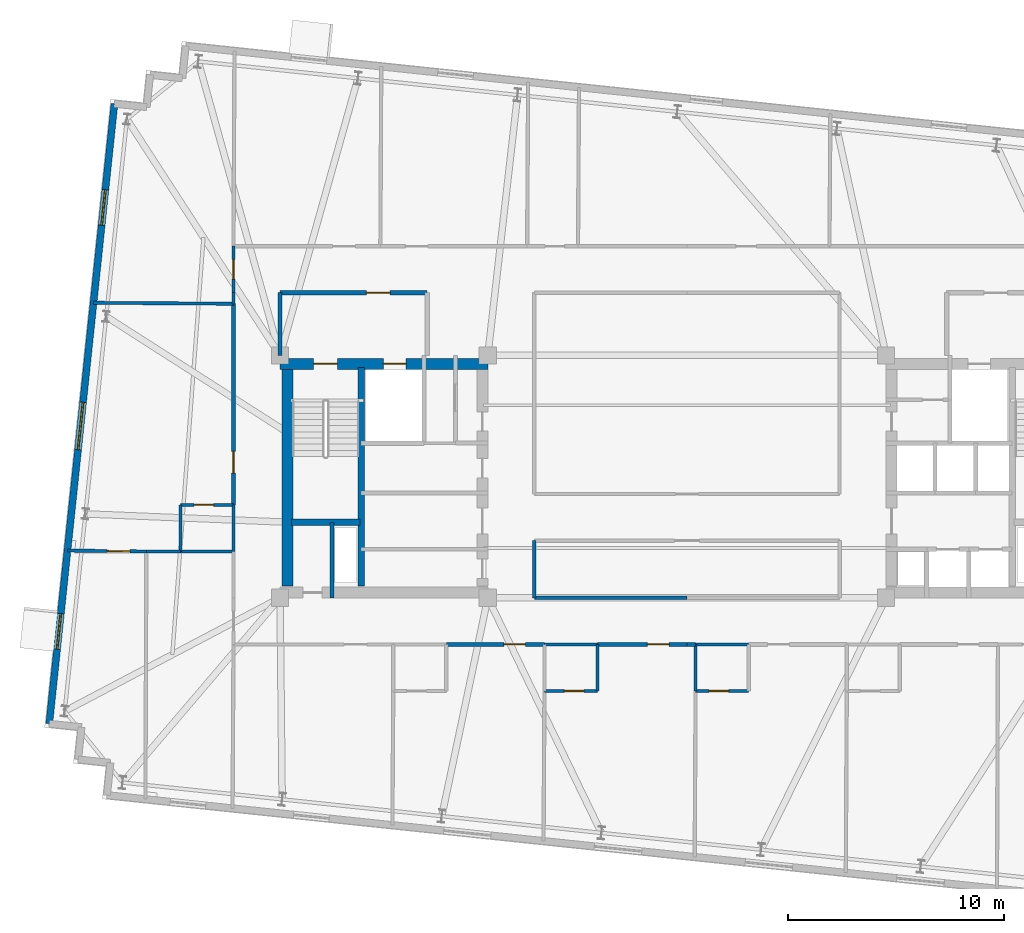
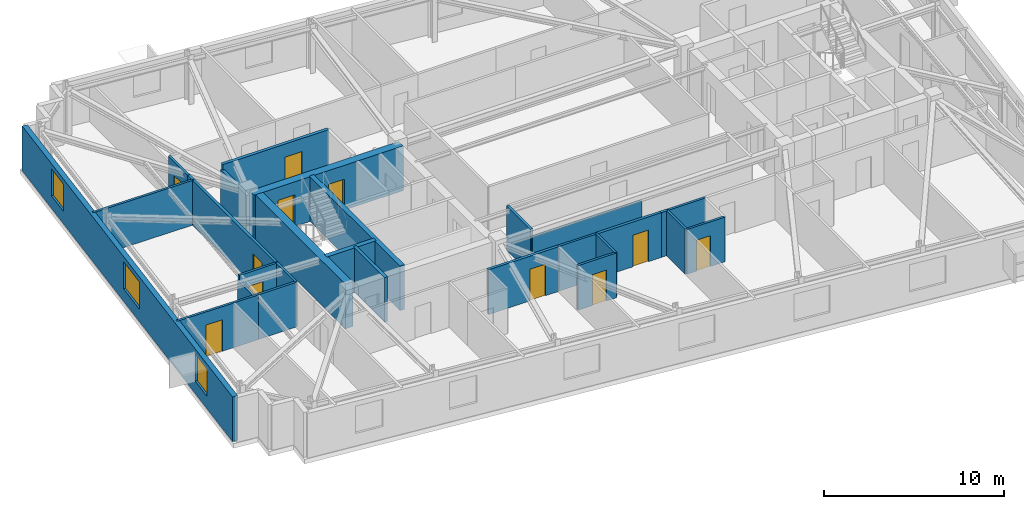
# One storey, part 6 of 11: 29 walls, 11 doors, 3 windows, 14 openings.
"""IFC4 building model written with IfcOpenShell, lengths in metres."""

from ifc_helpers import new_model, si_unit, direction, frame, frame_2d, origin, place, context, subcontext, project, spatial, rectangle, extrude, material, layer, layer_set, type_object, element, fill, save


model = new_model("IFC4")

# Units and contexts
model_context = context("Model", 3, precision=1e-05, world=origin(), true_north=direction((0.0, 1.0)))
body_context = subcontext(model_context, "Body", "Model", "MODEL_VIEW")
ifc_project = project(units=[si_unit("LENGTHUNIT", "METRE"), si_unit("AREAUNIT", "SQUARE_METRE"), si_unit("VOLUMEUNIT", "CUBIC_METRE"), si_unit("PLANEANGLEUNIT", "RADIAN"), si_unit("MASSUNIT", "GRAM", prefix="KILO")], contexts=[model_context])

# Site, building, storey
site_placement = place(None, origin())
site = spatial("IfcSite", under=ifc_project, at=site_placement, CompositionType="ELEMENT")
building_placement = place(site_placement, origin())
building = spatial("IfcBuilding", under=site, at=building_placement, Name="Qobustan Lattice House", CompositionType="ELEMENT")
storey_placement = place(building_placement, frame((0.0, 0.0, 213.14990234375)))
storey = spatial("IfcBuildingStorey", under=building, at=storey_placement, Name="L60", CompositionType="ELEMENT", Elevation=213.14990234375)

# Wall, openings, doors
ifc_material_1 = material(Name="Concrete C50/60", Category="concrete")
ifc_layer_1 = layer(ifc_material_1, 0.5)
ifc_layer_set_1 = layer_set([ifc_layer_1], Name="Concrete C50/60")
wall_type_1 = type_object("IfcWallType", Name="WAL-CORE-500", PredefinedType="SHEAR", material=ifc_layer_set_1)
wall_1_placement = place(storey_placement, frame((-18.800048828125, 5.2099609375, 0.0), z_axis=(0.0, 0.0, 1.0), x_axis=(1.0, 0.0, 0.0)))
wall_1 = element("IfcWall", 1, at=wall_1_placement, inside=storey, type_object=wall_type_1, Name="L60 split-core shear wall CW-N", PredefinedType="SHEAR", context=body_context, shape_type="SweptSolid", body=[
    extrude(rectangle(XDim=9.60009765625, YDim=0.5, at=frame_2d((4.800048828125, 0.0))), origin(), (0.0, 0.0, 1.0), 3.0400390625),
])
opening_1_placement = place(wall_1_placement, frame((1.550048828125, 0.0, 0.0)))
opening_1 = element("IfcOpeningElement", 2, at=opening_1_placement, cuts=wall_1, Name="Opening SD-01", PredefinedType="OPENING", context=body_context, shape_type="SweptSolid", body=[
    extrude(rectangle(XDim=1.10009765625, YDim=2.14990234375, at=frame_2d((0.550048828125, 1.074951171875))), frame((0.0, 0.260009765625, 0.0), z_axis=(0.0, -1.0, 0.0), x_axis=(1.0, 0.0, 0.0)), (0.0, 0.0, 1.0), 0.52001953125),
])
opening_2_placement = place(wall_1_placement, frame((4.77490234375, 0.0, 0.0)))
opening_2 = element("IfcOpeningElement", 3, at=opening_2_placement, cuts=wall_1, Name="Opening LD-01", PredefinedType="OPENING", context=body_context, shape_type="SweptSolid", body=[
    extrude(rectangle(XDim=1.050048828125, YDim=2.10009765625, at=frame_2d((0.52490234375, 1.050048828125))), frame((0.0, 0.260009765625, 0.0), z_axis=(0.0, -1.0, 0.0), x_axis=(1.0, 0.0, 0.0)), (0.0, 0.0, 1.0), 0.52001953125),
])
ifc_material_2 = material(Name="Persian walnut timber and steel frame door", Category="steel")
door_type_1 = type_object("IfcDoorType", Name="DOR-LIFT-LD-1050x2100", OperationType="NOTDEFINED", PredefinedType="DOOR", material=ifc_material_2)
door_1_placement = place(opening_2_placement, origin())
door_1 = element("IfcDoor", 4, at=door_1_placement, inside=storey, type_object=door_type_1, Name="L60 firefighting lift FF-W landing door", OperationType="DOUBLE_DOOR_SLIDING", OverallHeight=2.10009765625, OverallWidth=1.050048828125, PredefinedType="DOOR", context=body_context, shape_type="SweptSolid", body=[
    extrude(rectangle(XDim=1.050048828125, YDim=2.10009765625, at=frame_2d((0.52490234375, 1.050048828125))), frame((0.0, 0.02490234375, 0.0), z_axis=(0.0, -1.0, 0.0), x_axis=(1.0, 0.0, 0.0)), (0.0, 0.0, 1.0), 0.050048828125),
])
fill(opening_2, door_1)
ifc_material_3 = material(Name="Persian walnut timber and steel frame door", Category="steel")
door_type_2 = type_object("IfcDoorType", Name="DOR-STAIR-FD-1100x2150", OperationType="NOTDEFINED", PredefinedType="DOOR", material=ifc_material_3)
door_2_placement = place(opening_1_placement, origin())
door_2 = element("IfcDoor", 5, at=door_2_placement, inside=storey, type_object=door_type_2, Name="L60 exit stair ST-W1 fire door", OperationType="SINGLE_SWING_RIGHT", OverallHeight=2.14990234375, OverallWidth=1.10009765625, PredefinedType="DOOR", context=body_context, shape_type="SweptSolid", body=[
    extrude(rectangle(XDim=1.10009765625, YDim=2.14990234375, at=frame_2d((0.550048828125, 1.074951171875))), frame((0.0, 0.02490234375, 0.0), z_axis=(0.0, -1.0, 0.0), x_axis=(1.0, 0.0, 0.0)), (0.0, 0.0, 1.0), 0.050048828125),
])
fill(opening_1, door_2)

# Walls
wall_2_placement = place(storey_placement, frame((-18.4599609375, -5.050048828125, 0.0), z_axis=(0.0, 0.0, 1.0), x_axis=(0.0, 1.0, 0.0)))
element("IfcWall", 6, at=wall_2_placement, inside=storey, type_object=wall_type_1, Name="L60 split-core shear wall CW-W", PredefinedType="SHEAR", context=body_context, shape_type="SweptSolid", body=[
    extrude(rectangle(XDim=10.10009765625, YDim=0.5, at=frame_2d((5.050048828125, 0.0))), origin(), (0.0, 0.0, 1.0), 3.0400390625),
])
ifc_material_4 = material(Name="Concrete C50/60", Category="concrete")
ifc_layer_2 = layer(ifc_material_4, 0.280029296875)
ifc_layer_set_2 = layer_set([ifc_layer_2], Name="Concrete C50/60")
wall_type_2 = type_object("IfcWallType", Name="WAL-CORE-SPINE-280", PredefinedType="SHEAR", material=ifc_layer_set_2)
wall_3_placement = place(storey_placement, frame((-15.050048828125, -5.050048828125, 0.0), z_axis=(0.0, 0.0, 1.0), x_axis=(0.0, 1.0, 0.0)))
element("IfcWall", 7, at=wall_3_placement, inside=storey, type_object=wall_type_2, Name="L60 split-core shear wall CW-M", PredefinedType="SHEAR", context=body_context, shape_type="SweptSolid", body=[
    extrude(rectangle(XDim=10.10009765625, YDim=0.300048828125, at=frame_2d((5.050048828125, 0.0))), origin(), (0.0, 0.0, 1.0), 3.0400390625),
])
wall_4_placement = place(storey_placement, frame((-18.280029296875, -2.110107421875, 0.0), z_axis=(0.0, 0.0, 1.0), x_axis=(1.0, 0.0, 0.0)))
element("IfcWall", 8, at=wall_4_placement, inside=storey, type_object=wall_type_2, Name="L60 split-core shear wall CW-ST", PredefinedType="SHEAR", context=body_context, shape_type="SweptSolid", body=[
    extrude(rectangle(XDim=3.179931640625, YDim=0.300048828125, at=frame_2d((1.58984375, 0.0))), origin(), (0.0, 0.0, 1.0), 3.0400390625),
])

# Wall, openings, windows
ifc_material_5 = material(Name="Precast concrete C40/50", Category="concrete")
ifc_layer_3 = layer(ifc_material_5, 0.320068359375)
ifc_layer_set_3 = layer_set([ifc_layer_3], Name="Precast concrete C40/50")
wall_type_3 = type_object("IfcWallType", Name="WAL-EXT-STONE-320", PredefinedType="SOLIDWALL", material=ifc_layer_set_3)
wall_5_placement = place(storey_placement, frame((-29.46337890625, -11.413818359375, 0.0), z_axis=(0.0, 0.0, 1.0), x_axis=(0.104530779244, 0.994521651947, 0.0)))
wall_5 = element("IfcWall", 9, at=wall_5_placement, inside=storey, type_object=wall_type_3, Name="L60 exterior limestone-clad wall 5", PredefinedType="SOLIDWALL", context=body_context, shape_type="SweptSolid", body=[
    extrude(rectangle(XDim=28.800048828125, YDim=0.320068359375, at=frame_2d((14.39990234375, 0.0))), origin(), (0.0, 0.0, 1.0), 3.0400390625),
])
opening_3_placement = place(wall_5_placement, frame((3.466796875, 0.0, 0.85009765625)))
opening_3 = element("IfcOpeningElement", 10, at=opening_3_placement, cuts=wall_5, Name="Opening WN-09", PredefinedType="OPENING", context=body_context, shape_type="SweptSolid", body=[
    extrude(rectangle(XDim=1.64990234375, YDim=1.85009765625, at=frame_2d((0.824951171875, 0.925048828125))), frame((0.0, 0.169921875, 0.0), z_axis=(0.0, -1.0, 0.0), x_axis=(1.0, 0.0, 0.0)), (0.0, 0.0, 1.0), 0.340087890625),
])
opening_4_placement = place(wall_5_placement, frame((12.73828125, 0.0, 0.85009765625)))
opening_4 = element("IfcOpeningElement", 11, at=opening_4_placement, cuts=wall_5, Name="Opening WN-03", PredefinedType="OPENING", context=body_context, shape_type="SweptSolid", body=[
    extrude(rectangle(XDim=2.199951171875, YDim=1.85009765625, at=frame_2d((1.10009765625, 0.925048828125))), frame((0.0, 0.169921875, 0.0), z_axis=(0.0, -1.0, 0.0), x_axis=(1.0, 0.0, 0.0)), (0.0, 0.0, 1.0), 0.340087890625),
])
opening_5_placement = place(wall_5_placement, frame((23.16162109375, 0.0, 0.85009765625)))
opening_5 = element("IfcOpeningElement", 12, at=opening_5_placement, cuts=wall_5, Name="Opening WN-09", PredefinedType="OPENING", context=body_context, shape_type="SweptSolid", body=[
    extrude(rectangle(XDim=1.64990234375, YDim=1.85009765625, at=frame_2d((0.824951171875, 0.925048828125))), frame((0.0, 0.169921875, 0.0), z_axis=(0.0, -1.0, 0.0), x_axis=(1.0, 0.0, 0.0)), (0.0, 0.0, 1.0), 0.340087890625),
])
ifc_material_6 = material(Name="Double-glazed low-E aluminium window", Category="aluminium")
window_type_1 = type_object("IfcWindowType", Name="WIN-STU-1650x1850", PartitioningType="SINGLE_PANEL", PredefinedType="WINDOW", material=ifc_material_6)
window_1_placement = place(opening_3_placement, origin())
window_1 = element("IfcWindow", 13, at=window_1_placement, inside=storey, type_object=window_type_1, Name="L60 Focus study room W1A window", OverallHeight=1.85009765625, OverallWidth=1.64990234375, PartitioningType="SINGLE_PANEL", PredefinedType="WINDOW", context=body_context, shape_type="SweptSolid", body=[
    extrude(rectangle(XDim=1.64990234375, YDim=1.85009765625, at=frame_2d((0.824951171875, 0.925048828125))), frame((0.0, 0.030029296875, 0.0), z_axis=(0.0, -1.0, 0.0), x_axis=(1.0, 0.0, 0.0)), (0.0, 0.0, 1.0), 0.06005859375),
])
fill(opening_3, window_1)
window_2_placement = place(opening_5_placement, origin())
window_2 = element("IfcWindow", 14, at=window_2_placement, inside=storey, type_object=window_type_1, Name="L60 Focus study room W3 window", OverallHeight=1.85009765625, OverallWidth=1.64990234375, PartitioningType="SINGLE_PANEL", PredefinedType="WINDOW", context=body_context, shape_type="SweptSolid", body=[
    extrude(rectangle(XDim=1.64990234375, YDim=1.85009765625, at=frame_2d((0.824951171875, 0.925048828125))), frame((0.0, 0.030029296875, 0.0), z_axis=(0.0, -1.0, 0.0), x_axis=(1.0, 0.0, 0.0)), (0.0, 0.0, 1.0), 0.06005859375),
])
fill(opening_5, window_2)
ifc_material_7 = material(Name="Double-glazed low-E aluminium window", Category="aluminium")
window_type_2 = type_object("IfcWindowType", Name="WIN-WIDE-2200x1850", PartitioningType="SINGLE_PANEL", PredefinedType="WINDOW", material=ifc_material_7)
window_3_placement = place(opening_4_placement, origin())
window_3 = element("IfcWindow", 15, at=window_3_placement, inside=storey, type_object=window_type_2, Name="L60 Kitchenette and studio apartment L60-W2 window", OverallHeight=1.85009765625, OverallWidth=2.199951171875, PartitioningType="SINGLE_PANEL", PredefinedType="WINDOW", context=body_context, shape_type="SweptSolid", body=[
    extrude(rectangle(XDim=2.199951171875, YDim=1.85009765625, at=frame_2d((1.10009765625, 0.925048828125))), frame((0.0, 0.030029296875, 0.0), z_axis=(0.0, -1.0, 0.0), x_axis=(1.0, 0.0, 0.0)), (0.0, 0.0, 1.0), 0.06005859375),
])
fill(opening_4, window_3)

# Wall, opening, door
ifc_material_8 = material(Name="Gypsum fireboard acoustic partition", Category="gypsum")
ifc_layer_4 = layer(ifc_material_8, 0.179931640625)
ifc_layer_set_4 = layer_set([ifc_layer_4], Name="Gypsum fireboard acoustic partition")
wall_type_4 = type_object("IfcWallType", Name="WAL-FIRE-180", PredefinedType="PARTITIONING", material=ifc_layer_set_4)
wall_6_placement = place(storey_placement, frame((-6.5830078125, -7.75, 0.0), z_axis=(0.0, 0.0, 1.0), x_axis=(-1.0, 0.0, 0.0)))
wall_6 = element("IfcWall", 16, at=wall_6_placement, inside=storey, type_object=wall_type_4, Name="L60 interior partition 46", PredefinedType="PARTITIONING", context=body_context, shape_type="SweptSolid", body=[
    extrude(rectangle(XDim=4.533935546875, YDim=0.179931640625, at=frame_2d((2.26708984375, 0.0))), origin(), (0.0, 0.0, 1.0), 3.0400390625),
])
opening_6_placement = place(wall_6_placement, frame((0.876708984375, 0.0, 0.0)))
opening_6 = element("IfcOpeningElement", 17, at=opening_6_placement, cuts=wall_6, Name="Opening FD-02", PredefinedType="OPENING", context=body_context, shape_type="SweptSolid", body=[
    extrude(rectangle(XDim=1.0, YDim=2.14990234375, at=frame_2d((0.5, 1.074951171875))), frame((0.0, 0.099853515625, 0.0), z_axis=(0.0, -1.0, 0.0), x_axis=(1.0, 0.0, 0.0)), (0.0, 0.0, 1.0), 0.199951171875),
])
ifc_material_9 = material(Name="Persian walnut timber and steel frame door", Category="steel")
door_type_3 = type_object("IfcDoorType", Name="DOR-UNIT-FD-1000x2150", OperationType="NOTDEFINED", PredefinedType="DOOR", material=ifc_material_9)
door_3_placement = place(opening_6_placement, origin())
door_3 = element("IfcDoor", 18, at=door_3_placement, inside=storey, type_object=door_type_3, Name="L60 South-west floor corridor to Kitchenette and studio apartment L60-S2 door", OperationType="SINGLE_SWING_RIGHT", OverallHeight=2.14990234375, OverallWidth=1.0, PredefinedType="DOOR", context=body_context, shape_type="SweptSolid", body=[
    extrude(rectangle(XDim=1.0, YDim=2.14990234375, at=frame_2d((0.5, 1.074951171875))), frame((0.0, 0.02490234375, 0.0), z_axis=(0.0, -1.0, 0.0), x_axis=(1.0, 0.0, 0.0)), (0.0, 0.0, 1.0), 0.050048828125),
])
fill(opening_6, door_3)

wall_7_placement = place(storey_placement, frame((0.0, -7.75, 0.0), z_axis=(0.0, 0.0, 1.0), x_axis=(-1.0, 0.0, 0.0)))
wall_7 = element("IfcWall", 19, at=wall_7_placement, inside=storey, type_object=wall_type_4, Name="L60 interior partition 48", PredefinedType="PARTITIONING", context=body_context, shape_type="SweptSolid", body=[
    extrude(rectangle(XDim=4.133056640625, YDim=0.179931640625, at=frame_2d((2.06640625, 0.0))), origin(), (0.0, 0.0, 1.0), 3.0400390625),
])
opening_7_placement = place(wall_7_placement, frame((0.82666015625, 0.0, 0.0)))
opening_7 = element("IfcOpeningElement", 20, at=opening_7_placement, cuts=wall_7, Name="Opening FD-02", PredefinedType="OPENING", context=body_context, shape_type="SweptSolid", body=[
    extrude(rectangle(XDim=1.0, YDim=2.14990234375, at=frame_2d((0.5, 1.074951171875))), frame((0.0, 0.099853515625, 0.0), z_axis=(0.0, -1.0, 0.0), x_axis=(1.0, 0.0, 0.0)), (0.0, 0.0, 1.0), 0.199951171875),
])
door_4_placement = place(opening_7_placement, origin())
door_4 = element("IfcDoor", 21, at=door_4_placement, inside=storey, type_object=door_type_3, Name="L60 South-west floor corridor to Kitchenette and studio apartment L60-S3 door", OperationType="SINGLE_SWING_LEFT", OverallHeight=2.14990234375, OverallWidth=1.0, PredefinedType="DOOR", context=body_context, shape_type="SweptSolid", body=[
    extrude(rectangle(XDim=1.0, YDim=2.14990234375, at=frame_2d((0.5, 1.074951171875))), frame((0.0, 0.02490234375, 0.0), z_axis=(0.0, -1.0, 0.0), x_axis=(1.0, 0.0, 0.0)), (0.0, 0.0, 1.0), 0.050048828125),
])
fill(opening_7, door_4)

# Wall
wall_8_placement = place(storey_placement, frame((0.39990234375, -7.75, 0.0), z_axis=(0.0, 0.0, 1.0), x_axis=(-1.0, 0.0, 0.0)))
element("IfcWall", 22, at=wall_8_placement, inside=storey, type_object=wall_type_4, Name="L60 interior partition 52", PredefinedType="PARTITIONING", context=body_context, shape_type="SweptSolid", body=[
    extrude(rectangle(XDim=0.39990234375, YDim=0.179931640625, at=frame_2d((0.199951171875, 0.0))), origin(), (0.0, 0.0, 1.0), 3.0400390625),
])

# Wall, opening, door
wall_9_placement = place(storey_placement, frame((-20.949951171875, -1.305908203125, 0.0), z_axis=(0.0, 0.0, 1.0), x_axis=(0.0, 1.0, 0.0)))
wall_9 = element("IfcWall", 23, at=wall_9_placement, inside=storey, type_object=wall_type_4, Name="L60 interior partition 60", PredefinedType="PARTITIONING", context=body_context, shape_type="SweptSolid", body=[
    extrude(rectangle(XDim=9.2958984375, YDim=0.179931640625, at=frame_2d((4.64794921875, 0.0))), origin(), (0.0, 0.0, 1.0), 3.0400390625),
])
opening_8_placement = place(wall_9_placement, frame((1.471923828125, 0.0, 0.0)))
opening_8 = element("IfcOpeningElement", 24, at=opening_8_placement, cuts=wall_9, Name="Opening FD-02", PredefinedType="OPENING", context=body_context, shape_type="SweptSolid", body=[
    extrude(rectangle(XDim=1.0, YDim=2.14990234375, at=frame_2d((0.5, 1.074951171875))), frame((0.0, 0.099853515625, 0.0), z_axis=(0.0, -1.0, 0.0), x_axis=(1.0, 0.0, 0.0)), (0.0, 0.0, 1.0), 0.199951171875),
])
door_5_placement = place(opening_8_placement, origin())
door_5 = element("IfcDoor", 25, at=door_5_placement, inside=storey, type_object=door_type_3, Name="L60 West wing spine gallery to Kitchenette and studio apartment L60-W2 door", OperationType="SINGLE_SWING_LEFT", OverallHeight=2.14990234375, OverallWidth=1.0, PredefinedType="DOOR", context=body_context, shape_type="SweptSolid", body=[
    extrude(rectangle(XDim=1.0, YDim=2.14990234375, at=frame_2d((0.5, 1.074951171875))), frame((0.0, 0.02490234375, 0.0), z_axis=(0.0, -1.0, 0.0), x_axis=(1.0, 0.0, 0.0)), (0.0, 0.0, 1.0), 0.050048828125),
])
fill(opening_8, door_5)

ifc_material_10 = material(Name="Acoustic twin-stud gypsum partition", Category="gypsum")
ifc_layer_5 = layer(ifc_material_10, 0.14990234375)
ifc_layer_set_5 = layer_set([ifc_layer_5], Name="Acoustic twin-stud gypsum partition")
wall_type_5 = type_object("IfcWallType", Name="WAL-PART-150", PredefinedType="PARTITIONING", material=ifc_layer_set_5)
wall_10_placement = place(storey_placement, frame((-20.949951171875, 8.5, 0.0), z_axis=(0.0, 0.0, 1.0), x_axis=(0.0, 1.0, 0.0)))
wall_10 = element("IfcWall", 26, at=wall_10_placement, inside=storey, type_object=wall_type_5, Name="L60 interior partition 34", PredefinedType="PARTITIONING", context=body_context, shape_type="SweptSolid", body=[
    extrude(rectangle(XDim=2.14990234375, YDim=0.14990234375, at=frame_2d((1.074951171875, 0.0))), origin(), (0.0, 0.0, 1.0), 3.0400390625),
])
opening_9_placement = place(wall_10_placement, frame((0.625, 0.0, 0.0)))
opening_9 = element("IfcOpeningElement", 27, at=opening_9_placement, cuts=wall_10, Name="Opening WD-01", PredefinedType="OPENING", context=body_context, shape_type="SweptSolid", body=[
    extrude(rectangle(XDim=0.89990234375, YDim=2.10009765625, at=frame_2d((0.449951171875, 1.050048828125))), frame((0.0, 0.0849609375, 0.0), z_axis=(0.0, -1.0, 0.0), x_axis=(1.0, 0.0, 0.0)), (0.0, 0.0, 1.0), 0.169921875),
])
ifc_material_11 = material(Name="Persian walnut timber and steel frame door", Category="steel")
door_type_4 = type_object("IfcDoorType", Name="DOR-WET-900x2100", OperationType="NOTDEFINED", PredefinedType="DOOR", material=ifc_material_11)
door_6_placement = place(opening_9_placement, origin())
door_6 = element("IfcDoor", 28, at=door_6_placement, inside=storey, type_object=door_type_4, Name="L60 North-west floor corridor to Focus study room W3 door", OperationType="SINGLE_SWING_RIGHT", OverallHeight=2.10009765625, OverallWidth=0.89990234375, PredefinedType="DOOR", context=body_context, shape_type="SweptSolid", body=[
    extrude(rectangle(XDim=0.89990234375, YDim=2.10009765625, at=frame_2d((0.449951171875, 1.050048828125))), frame((0.0, 0.02490234375, 0.0), z_axis=(0.0, -1.0, 0.0), x_axis=(1.0, 0.0, 0.0)), (0.0, 0.0, 1.0), 0.050048828125),
])
fill(opening_9, door_6)

# Wall
wall_11_placement = place(storey_placement, frame((-20.949951171875, 7.989990234375, 0.0), z_axis=(0.0, 0.0, 1.0), x_axis=(0.0, 1.0, 0.0)))
element("IfcWall", 29, at=wall_11_placement, inside=storey, type_object=wall_type_5, Name="L60 interior partition 62", PredefinedType="PARTITIONING", context=body_context, shape_type="SweptSolid", body=[
    extrude(rectangle(XDim=0.510009765625, YDim=0.14990234375, at=frame_2d((0.2548828125, 0.0))), origin(), (0.0, 0.0, 1.0), 3.0400390625),
])

# Wall, opening, door
wall_12_placement = place(storey_placement, frame((-28.622314453125, -3.412109375, 0.0), z_axis=(0.0, 0.0, 1.0), x_axis=(0.999927389555, -0.01205054433, 0.0)))
wall_12 = element("IfcWall", 30, at=wall_12_placement, inside=storey, type_object=wall_type_5, Name="L60 interior partition 72", PredefinedType="PARTITIONING", context=body_context, shape_type="SweptSolid", body=[
    extrude(rectangle(XDim=3.646728515625, YDim=0.14990234375, at=frame_2d((1.8232421875, 0.0))), origin(), (0.0, 0.0, 1.0), 3.0400390625),
])
opening_10_placement = place(wall_12_placement, frame((1.837158203125, 0.0, 0.0)))
opening_10 = element("IfcOpeningElement", 31, at=opening_10_placement, cuts=wall_12, Name="Opening ID-02", PredefinedType="OPENING", context=body_context, shape_type="SweptSolid", body=[
    extrude(rectangle(XDim=1.050048828125, YDim=2.14990234375, at=frame_2d((0.52490234375, 1.074951171875))), frame((0.0, 0.0849609375, 0.0), z_axis=(0.0, -1.0, 0.0), x_axis=(1.0, 0.0, 0.0)), (0.0, 0.0, 1.0), 0.169921875),
])
ifc_material_12 = material(Name="Persian walnut timber and steel frame door", Category="steel")
door_type_5 = type_object("IfcDoorType", Name="DOR-STUDY-1050x2150", OperationType="NOTDEFINED", PredefinedType="DOOR", material=ifc_material_12)
door_7_placement = place(opening_10_placement, origin())
door_7 = element("IfcDoor", 32, at=door_7_placement, inside=storey, type_object=door_type_5, Name="L60 Focus study room W1A to Kitchenette and studio apartment L60-W2 door", OperationType="SINGLE_SWING_RIGHT", OverallHeight=2.14990234375, OverallWidth=1.050048828125, PredefinedType="DOOR", context=body_context, shape_type="SweptSolid", body=[
    extrude(rectangle(XDim=1.050048828125, YDim=2.14990234375, at=frame_2d((0.52490234375, 1.074951171875))), frame((0.0, 0.02490234375, 0.0), z_axis=(0.0, -1.0, 0.0), x_axis=(1.0, 0.0, 0.0)), (0.0, 0.0, 1.0), 0.050048828125),
])
fill(opening_10, door_7)

# Walls
wall_13_placement = place(storey_placement, frame((-24.975830078125, -3.4560546875, 0.0), z_axis=(0.0, 0.0, 1.0), x_axis=(1.0, 0.0, 0.0)))
element("IfcWall", 33, at=wall_13_placement, inside=storey, type_object=wall_type_5, Name="L60 interior partition 73", PredefinedType="PARTITIONING", context=body_context, shape_type="SweptSolid", body=[
    extrude(rectangle(XDim=1.575927734375, YDim=0.14990234375, at=frame_2d((0.7880859375, 0.0))), origin(), (0.0, 0.0, 1.0), 3.0400390625),
])
wall_14_placement = place(storey_placement, frame((-27.419189453125, 8.033935546875, 0.0), z_axis=(0.0, 0.0, 1.0), x_axis=(0.999976928608, -0.006792808784, 0.0)))
element("IfcWall", 34, at=wall_14_placement, inside=storey, type_object=wall_type_5, Name="L60 interior partition 78", PredefinedType="PARTITIONING", context=body_context, shape_type="SweptSolid", body=[
    extrude(rectangle(XDim=6.469482421875, YDim=0.14990234375, at=frame_2d((3.23486328125, 0.0))), origin(), (0.0, 0.0, 1.0), 3.0400390625),
])
ifc_material_13 = material(Name="High-mass acoustic twin-stud partition", Category="gypsum")
ifc_layer_6 = layer(ifc_material_13, 0.1650390625)
ifc_layer_set_6 = layer_set([ifc_layer_6], Name="High-mass acoustic twin-stud partition")
wall_type_6 = type_object("IfcWallType", Name="WAL-PART-165", PredefinedType="PARTITIONING", material=ifc_layer_set_6)
wall_15_placement = place(storey_placement, frame((-7.050048828125, -5.60009765625, 0.0), z_axis=(0.0, 0.0, 1.0), x_axis=(1.0, 0.0, 0.0)))
element("IfcWall", 35, at=wall_15_placement, inside=storey, type_object=wall_type_6, Name="L60 interior partition 50", PredefinedType="PARTITIONING", context=body_context, shape_type="SweptSolid", body=[
    extrude(rectangle(XDim=7.050048828125, YDim=0.1650390625, at=frame_2d((3.52490234375, 0.0))), origin(), (0.0, 0.0, 1.0), 2.525146484375),
])
wall_16_placement = place(storey_placement, frame((-7.050048828125, -2.949951171875, 0.0), z_axis=(0.0, 0.0, 1.0), x_axis=(0.0, -1.0, 0.0)))
element("IfcWall", 36, at=wall_16_placement, inside=storey, type_object=wall_type_6, Name="L60 interior partition 68", PredefinedType="PARTITIONING", context=body_context, shape_type="SweptSolid", body=[
    extrude(rectangle(XDim=2.650146484375, YDim=0.1650390625, at=frame_2d((1.3251953125, 0.0))), origin(), (0.0, 0.0, 1.0), 3.0400390625),
])

# Wall, opening, door
ifc_material_14 = material(Name="Two-hour gypsum fireboard acoustic partition", Category="gypsum")
ifc_layer_7 = layer(ifc_material_14, 0.199951171875)
ifc_layer_set_7 = layer_set([ifc_layer_7], Name="Two-hour gypsum fireboard acoustic partition")
wall_type_7 = type_object("IfcWallType", Name="WAL-PROT-200", PredefinedType="PARTITIONING", material=ifc_layer_set_7)
wall_17_placement = place(storey_placement, frame((-12.0, 8.5, 0.0), z_axis=(0.0, 0.0, 1.0), x_axis=(-1.0, 0.0, 0.0)))
wall_17 = element("IfcWall", 37, at=wall_17_placement, inside=storey, type_object=wall_type_7, Name="L60 interior partition 3", PredefinedType="PARTITIONING", context=body_context, shape_type="SweptSolid", body=[
    extrude(rectangle(XDim=6.800048828125, YDim=0.199951171875, at=frame_2d((3.39990234375, 0.0))), origin(), (0.0, 0.0, 1.0), 3.0400390625),
])
opening_11_placement = place(wall_17_placement, frame((1.715087890625, 0.0, 0.0)))
opening_11 = element("IfcOpeningElement", 38, at=opening_11_placement, cuts=wall_17, Name="Opening SD-01", PredefinedType="OPENING", context=body_context, shape_type="SweptSolid", body=[
    extrude(rectangle(XDim=1.10009765625, YDim=2.14990234375, at=frame_2d((0.550048828125, 1.074951171875))), frame((0.0, 0.10986328125, 0.0), z_axis=(0.0, -1.0, 0.0), x_axis=(1.0, 0.0, 0.0)), (0.0, 0.0, 1.0), 0.219970703125),
])
door_8_placement = place(opening_11_placement, origin())
door_8 = element("IfcDoor", 39, at=door_8_placement, inside=storey, type_object=door_type_2, Name="L60 West firefighting lift lobby to North-west floor corridor door", OperationType="SINGLE_SWING_RIGHT", OverallHeight=2.14990234375, OverallWidth=1.10009765625, PredefinedType="DOOR", context=body_context, shape_type="SweptSolid", body=[
    extrude(rectangle(XDim=1.10009765625, YDim=2.14990234375, at=frame_2d((0.550048828125, 1.074951171875))), frame((0.0, 0.02490234375, 0.0), z_axis=(0.0, -1.0, 0.0), x_axis=(1.0, 0.0, 0.0)), (0.0, 0.0, 1.0), 0.050048828125),
])
fill(opening_11, door_8)

# Walls
wall_18_placement = place(storey_placement, frame((-18.800048828125, 8.5, 0.0), z_axis=(0.0, 0.0, 1.0), x_axis=(0.0, -1.0, 0.0)))
element("IfcWall", 40, at=wall_18_placement, inside=storey, type_object=wall_type_7, Name="L60 interior partition 4", PredefinedType="PARTITIONING", context=body_context, shape_type="SweptSolid", body=[
    extrude(rectangle(XDim=2.89990234375, YDim=0.199951171875, at=frame_2d((1.449951171875, 0.0))), origin(), (0.0, 0.0, 1.0), 2.6650390625),
])
ifc_material_15 = material(Name="Concrete C40/50", Category="concrete")
ifc_layer_8 = layer(ifc_material_15, 0.199951171875)
ifc_layer_set_8 = layer_set([ifc_layer_8], Name="Concrete C40/50")
wall_type_8 = type_object("IfcWallType", Name="WAL-SHAFT-200", PredefinedType="PARTITIONING", material=ifc_layer_set_8)
wall_19_placement = place(storey_placement, frame((-16.39990234375, -5.60009765625, 0.0), z_axis=(0.0, 0.0, 1.0), x_axis=(0.0, 1.0, 0.0)))
element("IfcWall", 41, at=wall_19_placement, inside=storey, type_object=wall_type_8, Name="L60 interior partition 1", PredefinedType="PARTITIONING", context=body_context, shape_type="SweptSolid", body=[
    extrude(rectangle(XDim=3.489990234375, YDim=0.199951171875, at=frame_2d((1.7451171875, 0.0))), origin(), (0.0, 0.0, 1.0), 3.0400390625),
])
ifc_material_16 = material(Name="Moisture-resistant acoustic plumbing wall", Category="gypsum")
ifc_layer_9 = layer(ifc_material_16, 0.14990234375)
ifc_layer_set_9 = layer_set([ifc_layer_9], Name="Moisture-resistant acoustic plumbing wall")
wall_type_9 = type_object("IfcWallType", Name="WAL-WET-150", PredefinedType="PLUMBINGWALL", material=ifc_layer_set_9)
wall_20_placement = place(storey_placement, frame((-4.133056640625, -7.75, 0.0), z_axis=(0.0, 0.0, 1.0), x_axis=(-1.0, 0.0, 0.0)))
element("IfcWall", 42, at=wall_20_placement, inside=storey, type_object=wall_type_9, Name="L60 interior partition 49", PredefinedType="PLUMBINGWALL", context=body_context, shape_type="SweptSolid", body=[
    extrude(rectangle(XDim=2.449951171875, YDim=0.14990234375, at=frame_2d((1.22509765625, 0.0))), origin(), (0.0, 0.0, 1.0), 3.0400390625),
])
wall_21_placement = place(storey_placement, frame((2.85009765625, -7.75, 0.0), z_axis=(0.0, 0.0, 1.0), x_axis=(-1.0, 0.0, 0.0)))
element("IfcWall", 43, at=wall_21_placement, inside=storey, type_object=wall_type_9, Name="L60 interior partition 54", PredefinedType="PLUMBINGWALL", context=body_context, shape_type="SweptSolid", body=[
    extrude(rectangle(XDim=2.4501953125, YDim=0.14990234375, at=frame_2d((1.22509765625, 0.0))), origin(), (0.0, 0.0, 1.0), 3.0400390625),
])
wall_22_placement = place(storey_placement, frame((-20.949951171875, -3.4560546875, 0.0), z_axis=(0.0, 0.0, 1.0), x_axis=(0.0, 1.0, 0.0)))
element("IfcWall", 44, at=wall_22_placement, inside=storey, type_object=wall_type_9, Name="L60 interior partition 61", PredefinedType="PLUMBINGWALL", context=body_context, shape_type="SweptSolid", body=[
    extrude(rectangle(XDim=2.150146484375, YDim=0.14990234375, at=frame_2d((1.0751953125, 0.0))), origin(), (0.0, 0.0, 1.0), 3.0400390625),
])
wall_23_placement = place(storey_placement, frame((-23.39990234375, -3.4560546875, 0.0), z_axis=(0.0, 0.0, 1.0), x_axis=(1.0, 0.0, 0.0)))
element("IfcWall", 45, at=wall_23_placement, inside=storey, type_object=wall_type_9, Name="L60 interior partition 74", PredefinedType="PLUMBINGWALL", context=body_context, shape_type="SweptSolid", body=[
    extrude(rectangle(XDim=2.449951171875, YDim=0.14990234375, at=frame_2d((1.22509765625, 0.0))), origin(), (0.0, 0.0, 1.0), 3.0400390625),
])

# Wall, opening, door
wall_24_placement = place(storey_placement, frame((-20.949951171875, -1.305908203125, 0.0), z_axis=(0.0, 0.0, 1.0), x_axis=(-1.0, 0.0, 0.0)))
wall_24 = element("IfcWall", 46, at=wall_24_placement, inside=storey, type_object=wall_type_9, Name="L60 interior partition 76", PredefinedType="PLUMBINGWALL", context=body_context, shape_type="SweptSolid", body=[
    extrude(rectangle(XDim=2.449951171875, YDim=0.14990234375, at=frame_2d((1.22509765625, 0.0))), origin(), (0.0, 0.0, 1.0), 3.0400390625),
])
opening_12_placement = place(wall_24_placement, frame((0.921142578125, 0.0, 0.0)))
opening_12 = element("IfcOpeningElement", 47, at=opening_12_placement, cuts=wall_24, Name="Opening WD-01", PredefinedType="OPENING", context=body_context, shape_type="SweptSolid", body=[
    extrude(rectangle(XDim=0.89990234375, YDim=2.10009765625, at=frame_2d((0.449951171875, 1.050048828125))), frame((0.0, 0.0849609375, 0.0), z_axis=(0.0, -1.0, 0.0), x_axis=(1.0, 0.0, 0.0)), (0.0, 0.0, 1.0), 0.169921875),
])
door_9_placement = place(opening_12_placement, origin())
door_9 = element("IfcDoor", 48, at=door_9_placement, inside=storey, type_object=door_type_4, Name="L60 Kitchenette and studio apartment L60-W2 to En-suite bathroom L60-W2 door", OperationType="SINGLE_SWING_LEFT", OverallHeight=2.10009765625, OverallWidth=0.89990234375, PredefinedType="DOOR", context=body_context, shape_type="SweptSolid", body=[
    extrude(rectangle(XDim=0.89990234375, YDim=2.10009765625, at=frame_2d((0.449951171875, 1.050048828125))), frame((0.0, 0.02490234375, 0.0), z_axis=(0.0, -1.0, 0.0), x_axis=(1.0, 0.0, 0.0)), (0.0, 0.0, 1.0), 0.050048828125),
])
fill(opening_12, door_9)

# Wall
wall_25_placement = place(storey_placement, frame((-23.39990234375, -1.305908203125, 0.0), z_axis=(0.0, 0.0, 1.0), x_axis=(0.0, -1.0, 0.0)))
element("IfcWall", 49, at=wall_25_placement, inside=storey, type_object=wall_type_9, Name="L60 interior partition 77", PredefinedType="PLUMBINGWALL", context=body_context, shape_type="SweptSolid", body=[
    extrude(rectangle(XDim=2.150146484375, YDim=0.14990234375, at=frame_2d((1.0751953125, 0.0))), origin(), (0.0, 0.0, 1.0), 2.695068359375),
])

# Wall, opening, door
wall_26_placement = place(storey_placement, frame((-6.5830078125, -9.89990234375, 0.0), z_axis=(0.0, 0.0, 1.0), x_axis=(1.0, 0.0, 0.0)))
wall_26 = element("IfcWall", 50, at=wall_26_placement, inside=storey, type_object=wall_type_9, Name="L60 interior partition 93", PredefinedType="PLUMBINGWALL", context=body_context, shape_type="SweptSolid", body=[
    extrude(rectangle(XDim=2.449951171875, YDim=0.14990234375, at=frame_2d((1.22509765625, 0.0))), origin(), (0.0, 0.0, 1.0), 3.0400390625),
])
opening_13_placement = place(wall_26_placement, frame((0.92138671875, 0.0, 0.0)))
opening_13 = element("IfcOpeningElement", 51, at=opening_13_placement, cuts=wall_26, Name="Opening WD-01", PredefinedType="OPENING", context=body_context, shape_type="SweptSolid", body=[
    extrude(rectangle(XDim=0.89990234375, YDim=2.10009765625, at=frame_2d((0.449951171875, 1.050048828125))), frame((0.0, 0.0849609375, 0.0), z_axis=(0.0, -1.0, 0.0), x_axis=(1.0, 0.0, 0.0)), (0.0, 0.0, 1.0), 0.169921875),
])
door_10_placement = place(opening_13_placement, origin())
door_10 = element("IfcDoor", 52, at=door_10_placement, inside=storey, type_object=door_type_4, Name="L60 Kitchenette and studio apartment L60-S3 to En-suite bathroom L60-S3 door", OperationType="SINGLE_SWING_LEFT", OverallHeight=2.10009765625, OverallWidth=0.89990234375, PredefinedType="DOOR", context=body_context, shape_type="SweptSolid", body=[
    extrude(rectangle(XDim=0.89990234375, YDim=2.10009765625, at=frame_2d((0.449951171875, 1.050048828125))), frame((0.0, 0.02490234375, 0.0), z_axis=(0.0, -1.0, 0.0), x_axis=(1.0, 0.0, 0.0)), (0.0, 0.0, 1.0), 0.050048828125),
])
fill(opening_13, door_10)

# Walls
for number, where, z_axis, x_axis, name in (
    (53, (-4.133056640625, -9.89990234375, 0.0), (0.0, 0.0, 1.0), (0.0, 1.0, 0.0), "L60 interior partition 94"),
    (54, (0.39990234375, -7.75, 0.0), (0.0, 0.0, 1.0), (0.0, -1.0, 0.0), "L60 interior partition 96"),
):
    element("IfcWall", number, at=place(storey_placement, frame(where, z_axis=z_axis, x_axis=x_axis)), inside=storey, type_object=wall_type_9, Name=name, PredefinedType="PLUMBINGWALL", context=body_context, shape_type="SweptSolid", body=[
        extrude(rectangle(XDim=2.14990234375, YDim=0.14990234375, at=frame_2d((1.074951171875, 0.0))), origin(), (0.0, 0.0, 1.0), 3.0400390625),
    ])

# Wall, opening, door
wall_27_placement = place(storey_placement, frame((0.39990234375, -9.89990234375, 0.0), z_axis=(0.0, 0.0, 1.0), x_axis=(1.0, 0.0, 0.0)))
wall_27 = element("IfcWall", 55, at=wall_27_placement, inside=storey, type_object=wall_type_9, Name="L60 interior partition 97", PredefinedType="PLUMBINGWALL", context=body_context, shape_type="SweptSolid", body=[
    extrude(rectangle(XDim=2.4501953125, YDim=0.14990234375, at=frame_2d((1.22509765625, 0.0))), origin(), (0.0, 0.0, 1.0), 3.0400390625),
])
opening_14_placement = place(wall_27_placement, frame((0.62890625, 0.0, 0.0)))
opening_14 = element("IfcOpeningElement", 56, at=opening_14_placement, cuts=wall_27, Name="Opening WD-01", PredefinedType="OPENING", context=body_context, shape_type="SweptSolid", body=[
    extrude(rectangle(XDim=0.89990234375, YDim=2.10009765625, at=frame_2d((0.449951171875, 1.050048828125))), frame((0.0, 0.0849609375, 0.0), z_axis=(0.0, -1.0, 0.0), x_axis=(1.0, 0.0, 0.0)), (0.0, 0.0, 1.0), 0.169921875),
])
door_11_placement = place(opening_14_placement, origin())
door_11 = element("IfcDoor", 57, at=door_11_placement, inside=storey, type_object=door_type_4, Name="L60 Kitchenette and studio apartment L60-S4 to En-suite bathroom L60-S4 door", OperationType="SINGLE_SWING_RIGHT", OverallHeight=2.10009765625, OverallWidth=0.89990234375, PredefinedType="DOOR", context=body_context, shape_type="SweptSolid", body=[
    extrude(rectangle(XDim=0.89990234375, YDim=2.10009765625, at=frame_2d((0.449951171875, 1.050048828125))), frame((0.0, 0.02490234375, 0.0), z_axis=(0.0, -1.0, 0.0), x_axis=(1.0, 0.0, 0.0)), (0.0, 0.0, 1.0), 0.050048828125),
])
fill(opening_14, door_11)

save(model, "model.ifc")
